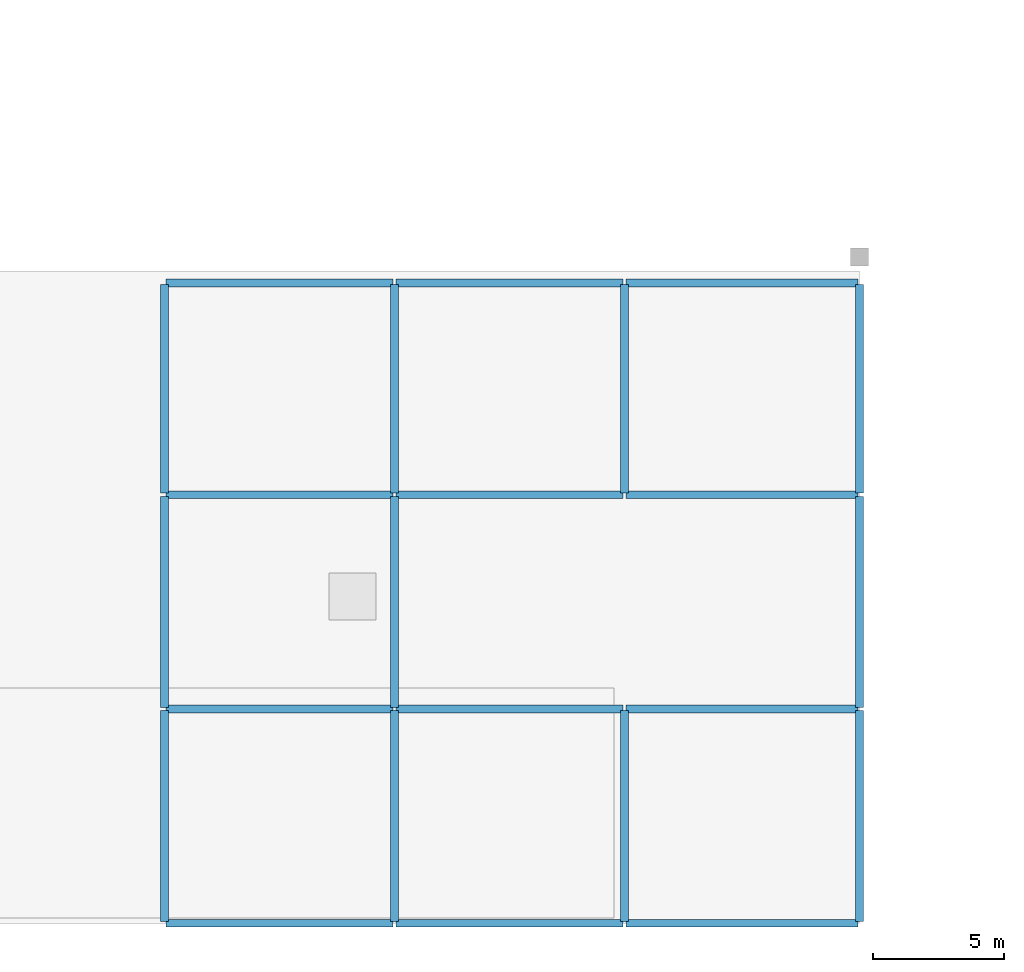
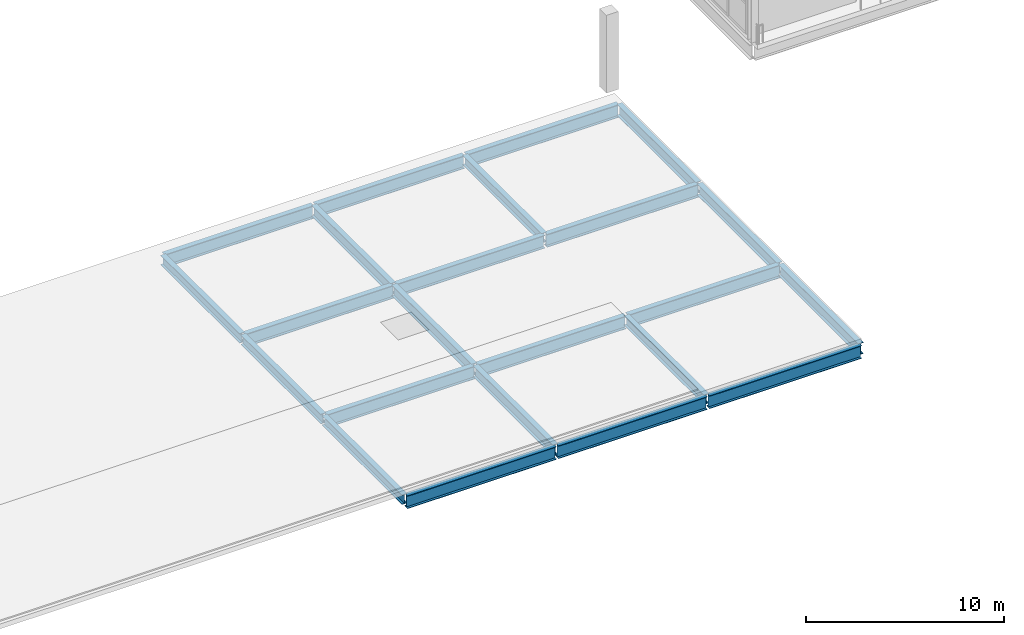
# One storey, part 15 of 51: 23 beams.
"""IFC4 building model written with IfcOpenShell, lengths in metres."""

from ifc_helpers import new_model, si_unit, direction, frame, origin, origin_2d, place, context, subcontext, project, spatial, i_section, extrude, material, material_profile, profile_set, type_object, element, save


model = new_model("IFC4")

# Units and contexts
model_context = context("Model", 3, precision=1e-05, world=origin(), true_north=direction((0.0, 1.0)))
body_context = subcontext(model_context, "Body", "Model", "MODEL_VIEW")
ifc_project = project(units=[si_unit("LENGTHUNIT", "METRE"), si_unit("AREAUNIT", "SQUARE_METRE"), si_unit("VOLUMEUNIT", "CUBIC_METRE"), si_unit("PLANEANGLEUNIT", "RADIAN"), si_unit("MASSUNIT", "GRAM", prefix="KILO")], contexts=[model_context])

# Site, building, storey
site_placement = place(None, origin())
site = spatial("IfcSite", under=ifc_project, at=site_placement, CompositionType="ELEMENT")
building_placement = place(site_placement, origin())
building = spatial("IfcBuilding", under=site, at=building_placement, Name="Koshinbarg Plaza Stadium", CompositionType="ELEMENT")
storey_placement = place(building_placement, frame((0.0, 0.0, 24.60009765625)))
storey = spatial("IfcBuildingStorey", under=building, at=storey_placement, Name="L05", CompositionType="ELEMENT", Elevation=24.60009765625)

# Beams
ifc_material = material(Name="Steel S355", Category="steel")
ifc_material_profile_1 = material_profile(ifc_material, i_section(OverallWidth=0.300048828125, OverallDepth=0.60009765625, WebThickness=0.015380859375, FlangeThickness=0.030029296875, at=origin_2d()), Name="HEB 600")
ifc_profile_set_1 = profile_set([ifc_material_profile_1], Name="Steel S355")
beam_type_1 = type_object("IfcBeamType", Name="BM-SGIR-02", PredefinedType="USERDEFINED", material=ifc_profile_set_1)
beam_1_placement = place(storey_placement, frame((162.800048828125, 0.06005859375, -0.60009765625), z_axis=(0.0, 1.0, 0.0), x_axis=(-1.0, 0.0, 0.0)))
element("IfcBeam", 1, at=beam_1_placement, inside=storey, type_object=beam_type_1, Name="L05 Y girder 15/A-B", ObjectType="GIRDER", PredefinedType="USERDEFINED", context=body_context, shape_type="SweptSolid", body=[
    extrude(i_section(OverallWidth=0.300048828125, OverallDepth=0.60009765625, WebThickness=0.015380859375, FlangeThickness=0.030029296875, at=origin_2d()), origin(), (0.0, 0.0, 1.0), 8.079833984375),
])
beam_2_placement = place(storey_placement, frame((162.800048828125, 8.260009765625, -0.60009765625), z_axis=(0.0, 1.0, 0.0), x_axis=(-1.0, 0.0, 0.0)))
element("IfcBeam", 2, at=beam_2_placement, inside=storey, type_object=beam_type_1, Name="L05 Y girder 15/B-C", ObjectType="GIRDER", PredefinedType="USERDEFINED", context=body_context, shape_type="SweptSolid", body=[
    extrude(i_section(OverallWidth=0.300048828125, OverallDepth=0.60009765625, WebThickness=0.015380859375, FlangeThickness=0.030029296875, at=origin_2d()), origin(), (0.0, 0.0, 1.0), 8.080078125),
])
beam_3_placement = place(storey_placement, frame((162.800048828125, 16.4599609375, -0.60009765625), z_axis=(0.0, 1.0, 0.0), x_axis=(-1.0, 0.0, 0.0)))
element("IfcBeam", 3, at=beam_3_placement, inside=storey, type_object=beam_type_1, Name="L05 Y girder 15/C-D", ObjectType="GIRDER", PredefinedType="USERDEFINED", context=body_context, shape_type="SweptSolid", body=[
    extrude(i_section(OverallWidth=0.300048828125, OverallDepth=0.60009765625, WebThickness=0.015380859375, FlangeThickness=0.030029296875, at=origin_2d()), origin(), (0.0, 0.0, 1.0), 7.97998046875),
])
beam_4_placement = place(storey_placement, frame((180.39990234375, 0.06005859375, -0.60009765625), z_axis=(0.0, 1.0, 0.0), x_axis=(-1.0, 0.0, 0.0)))
element("IfcBeam", 4, at=beam_4_placement, inside=storey, type_object=beam_type_1, Name="L05 Y girder 17/A-B", ObjectType="GIRDER", PredefinedType="USERDEFINED", context=body_context, shape_type="SweptSolid", body=[
    extrude(i_section(OverallWidth=0.300048828125, OverallDepth=0.60009765625, WebThickness=0.015380859375, FlangeThickness=0.030029296875, at=origin_2d()), origin(), (0.0, 0.0, 1.0), 8.079833984375),
])
beam_5_placement = place(storey_placement, frame((180.39990234375, 16.4599609375, -0.60009765625), z_axis=(0.0, 1.0, 0.0), x_axis=(-1.0, 0.0, 0.0)))
element("IfcBeam", 5, at=beam_5_placement, inside=storey, type_object=beam_type_1, Name="L05 Y girder 17/C-D", ObjectType="GIRDER", PredefinedType="USERDEFINED", context=body_context, shape_type="SweptSolid", body=[
    extrude(i_section(OverallWidth=0.300048828125, OverallDepth=0.60009765625, WebThickness=0.015380859375, FlangeThickness=0.030029296875, at=origin_2d()), origin(), (0.0, 0.0, 1.0), 7.97998046875),
])
ifc_material_profile_2 = material_profile(ifc_material, i_section(OverallWidth=0.300048828125, OverallDepth=0.699951171875, WebThickness=0.01708984375, FlangeThickness=0.031982421875, at=origin_2d()), Name="HEB 700")
ifc_profile_set_2 = profile_set([ifc_material_profile_2], Name="Steel S355")
beam_type_2 = type_object("IfcBeamType", Name="BM-SGIR-03", PredefinedType="USERDEFINED", material=ifc_profile_set_2)
beam_6_placement = place(storey_placement, frame((171.60009765625, 0.06005859375, -0.650146484375), z_axis=(0.0, 1.0, 0.0), x_axis=(-1.0, 0.0, 0.0)))
element("IfcBeam", 6, at=beam_6_placement, inside=storey, type_object=beam_type_2, Name="L05 Y girder 16/A-B", ObjectType="GIRDER", PredefinedType="USERDEFINED", context=body_context, shape_type="SweptSolid", body=[
    extrude(i_section(OverallWidth=0.300048828125, OverallDepth=0.699951171875, WebThickness=0.01708984375, FlangeThickness=0.031982421875, at=origin_2d()), origin(), (0.0, 0.0, 1.0), 8.079833984375),
])
beam_7_placement = place(storey_placement, frame((171.60009765625, 8.260009765625, -0.650146484375), z_axis=(0.0, 1.0, 0.0), x_axis=(-1.0, 0.0, 0.0)))
element("IfcBeam", 7, at=beam_7_placement, inside=storey, type_object=beam_type_2, Name="L05 Y girder 16/B-C", ObjectType="GIRDER", PredefinedType="USERDEFINED", context=body_context, shape_type="SweptSolid", body=[
    extrude(i_section(OverallWidth=0.300048828125, OverallDepth=0.699951171875, WebThickness=0.01708984375, FlangeThickness=0.031982421875, at=origin_2d()), origin(), (0.0, 0.0, 1.0), 8.080078125),
])
beam_8_placement = place(storey_placement, frame((171.60009765625, 16.4599609375, -0.650146484375), z_axis=(0.0, 1.0, 0.0), x_axis=(-1.0, 0.0, 0.0)))
element("IfcBeam", 8, at=beam_8_placement, inside=storey, type_object=beam_type_2, Name="L05 Y girder 16/C-D", ObjectType="GIRDER", PredefinedType="USERDEFINED", context=body_context, shape_type="SweptSolid", body=[
    extrude(i_section(OverallWidth=0.300048828125, OverallDepth=0.699951171875, WebThickness=0.01708984375, FlangeThickness=0.031982421875, at=origin_2d()), origin(), (0.0, 0.0, 1.0), 7.97998046875),
])
beam_9_placement = place(storey_placement, frame((189.39990234375, 0.06005859375, -0.650146484375), z_axis=(0.0, 1.0, 0.0), x_axis=(-1.0, 0.0, 0.0)))
element("IfcBeam", 9, at=beam_9_placement, inside=storey, type_object=beam_type_2, Name="L05 Y girder 18/A-B", ObjectType="GIRDER", PredefinedType="USERDEFINED", context=body_context, shape_type="SweptSolid", body=[
    extrude(i_section(OverallWidth=0.300048828125, OverallDepth=0.699951171875, WebThickness=0.01708984375, FlangeThickness=0.031982421875, at=origin_2d()), origin(), (0.0, 0.0, 1.0), 8.079833984375),
])
beam_10_placement = place(storey_placement, frame((189.39990234375, 8.260009765625, -0.650146484375), z_axis=(0.0, 1.0, 0.0), x_axis=(-1.0, 0.0, 0.0)))
element("IfcBeam", 10, at=beam_10_placement, inside=storey, type_object=beam_type_2, Name="L05 Y girder 18/B-C", ObjectType="GIRDER", PredefinedType="USERDEFINED", context=body_context, shape_type="SweptSolid", body=[
    extrude(i_section(OverallWidth=0.300048828125, OverallDepth=0.699951171875, WebThickness=0.01708984375, FlangeThickness=0.031982421875, at=origin_2d()), origin(), (0.0, 0.0, 1.0), 8.080078125),
])
beam_11_placement = place(storey_placement, frame((189.39990234375, 16.4599609375, -0.650146484375), z_axis=(0.0, 1.0, 0.0), x_axis=(-1.0, 0.0, 0.0)))
element("IfcBeam", 11, at=beam_11_placement, inside=storey, type_object=beam_type_2, Name="L05 Y girder 18/C-D", ObjectType="GIRDER", PredefinedType="USERDEFINED", context=body_context, shape_type="SweptSolid", body=[
    extrude(i_section(OverallWidth=0.300048828125, OverallDepth=0.699951171875, WebThickness=0.01708984375, FlangeThickness=0.031982421875, at=origin_2d()), origin(), (0.0, 0.0, 1.0), 7.97998046875),
])
ifc_material_profile_3 = material_profile(ifc_material, i_section(OverallWidth=0.300048828125, OverallDepth=0.800048828125, WebThickness=0.017578125, FlangeThickness=0.032958984375, at=origin_2d()), Name="HEB 800")
ifc_profile_set_3 = profile_set([ifc_material_profile_3], Name="Steel S355")
beam_type_3 = type_object("IfcBeamType", Name="BM-SGIR-04", PredefinedType="USERDEFINED", material=ifc_profile_set_3)
beam_12_placement = place(storey_placement, frame((162.860107421875, 0.0, -0.7001953125), z_axis=(1.0, 0.0, 0.0), x_axis=(0.0, 1.0, 0.0)))
element("IfcBeam", 12, at=beam_12_placement, inside=storey, type_object=beam_type_3, Name="L05 X girder A/15-16", ObjectType="GIRDER", PredefinedType="USERDEFINED", context=body_context, shape_type="SweptSolid", body=[
    extrude(i_section(OverallWidth=0.300048828125, OverallDepth=0.800048828125, WebThickness=0.017578125, FlangeThickness=0.032958984375, at=origin_2d()), origin(), (0.0, 0.0, 1.0), 8.679931640625),
])
beam_13_placement = place(storey_placement, frame((171.659912109375, 0.0, -0.7001953125), z_axis=(1.0, 0.0, 0.0), x_axis=(0.0, 1.0, 0.0)))
element("IfcBeam", 13, at=beam_13_placement, inside=storey, type_object=beam_type_3, Name="L05 X girder A/16-17", ObjectType="GIRDER", PredefinedType="USERDEFINED", context=body_context, shape_type="SweptSolid", body=[
    extrude(i_section(OverallWidth=0.300048828125, OverallDepth=0.800048828125, WebThickness=0.017578125, FlangeThickness=0.032958984375, at=origin_2d()), origin(), (0.0, 0.0, 1.0), 8.68017578125),
])
beam_14_placement = place(storey_placement, frame((180.4599609375, 0.0, -0.7001953125), z_axis=(1.0, 0.0, 0.0), x_axis=(0.0, 1.0, 0.0)))
element("IfcBeam", 14, at=beam_14_placement, inside=storey, type_object=beam_type_3, Name="L05 X girder A/17-18", ObjectType="GIRDER", PredefinedType="USERDEFINED", context=body_context, shape_type="SweptSolid", body=[
    extrude(i_section(OverallWidth=0.300048828125, OverallDepth=0.800048828125, WebThickness=0.017578125, FlangeThickness=0.032958984375, at=origin_2d()), origin(), (0.0, 0.0, 1.0), 8.880126953125),
])
beam_15_placement = place(storey_placement, frame((162.860107421875, 8.199951171875, -0.7001953125), z_axis=(1.0, 0.0, 0.0), x_axis=(0.0, 1.0, 0.0)))
element("IfcBeam", 15, at=beam_15_placement, inside=storey, type_object=beam_type_3, Name="L05 X girder B/15-16", ObjectType="GIRDER", PredefinedType="USERDEFINED", context=body_context, shape_type="SweptSolid", body=[
    extrude(i_section(OverallWidth=0.300048828125, OverallDepth=0.800048828125, WebThickness=0.017578125, FlangeThickness=0.032958984375, at=origin_2d()), origin(), (0.0, 0.0, 1.0), 8.679931640625),
])
beam_16_placement = place(storey_placement, frame((171.659912109375, 8.199951171875, -0.7001953125), z_axis=(1.0, 0.0, 0.0), x_axis=(0.0, 1.0, 0.0)))
element("IfcBeam", 16, at=beam_16_placement, inside=storey, type_object=beam_type_3, Name="L05 X girder B/16-17", ObjectType="GIRDER", PredefinedType="USERDEFINED", context=body_context, shape_type="SweptSolid", body=[
    extrude(i_section(OverallWidth=0.300048828125, OverallDepth=0.800048828125, WebThickness=0.017578125, FlangeThickness=0.032958984375, at=origin_2d()), origin(), (0.0, 0.0, 1.0), 8.68017578125),
])
beam_17_placement = place(storey_placement, frame((180.4599609375, 8.199951171875, -0.7001953125), z_axis=(1.0, 0.0, 0.0), x_axis=(0.0, 1.0, 0.0)))
element("IfcBeam", 17, at=beam_17_placement, inside=storey, type_object=beam_type_3, Name="L05 X girder B/17-18", ObjectType="GIRDER", PredefinedType="USERDEFINED", context=body_context, shape_type="SweptSolid", body=[
    extrude(i_section(OverallWidth=0.300048828125, OverallDepth=0.800048828125, WebThickness=0.017578125, FlangeThickness=0.032958984375, at=origin_2d()), origin(), (0.0, 0.0, 1.0), 8.880126953125),
])
beam_18_placement = place(storey_placement, frame((162.860107421875, 16.39990234375, -0.7001953125), z_axis=(1.0, 0.0, 0.0), x_axis=(0.0, 1.0, 0.0)))
element("IfcBeam", 18, at=beam_18_placement, inside=storey, type_object=beam_type_3, Name="L05 X girder C/15-16", ObjectType="GIRDER", PredefinedType="USERDEFINED", context=body_context, shape_type="SweptSolid", body=[
    extrude(i_section(OverallWidth=0.300048828125, OverallDepth=0.800048828125, WebThickness=0.017578125, FlangeThickness=0.032958984375, at=origin_2d()), origin(), (0.0, 0.0, 1.0), 8.679931640625),
])
beam_19_placement = place(storey_placement, frame((171.659912109375, 16.39990234375, -0.7001953125), z_axis=(1.0, 0.0, 0.0), x_axis=(0.0, 1.0, 0.0)))
element("IfcBeam", 19, at=beam_19_placement, inside=storey, type_object=beam_type_3, Name="L05 X girder C/16-17", ObjectType="GIRDER", PredefinedType="USERDEFINED", context=body_context, shape_type="SweptSolid", body=[
    extrude(i_section(OverallWidth=0.300048828125, OverallDepth=0.800048828125, WebThickness=0.017578125, FlangeThickness=0.032958984375, at=origin_2d()), origin(), (0.0, 0.0, 1.0), 8.68017578125),
])
beam_20_placement = place(storey_placement, frame((180.4599609375, 16.39990234375, -0.7001953125), z_axis=(1.0, 0.0, 0.0), x_axis=(0.0, 1.0, 0.0)))
element("IfcBeam", 20, at=beam_20_placement, inside=storey, type_object=beam_type_3, Name="L05 X girder C/17-18", ObjectType="GIRDER", PredefinedType="USERDEFINED", context=body_context, shape_type="SweptSolid", body=[
    extrude(i_section(OverallWidth=0.300048828125, OverallDepth=0.800048828125, WebThickness=0.017578125, FlangeThickness=0.032958984375, at=origin_2d()), origin(), (0.0, 0.0, 1.0), 8.880126953125),
])
beam_21_placement = place(storey_placement, frame((162.860107421875, 24.5, -0.7001953125), z_axis=(1.0, 0.0, 0.0), x_axis=(0.0, 1.0, 0.0)))
element("IfcBeam", 21, at=beam_21_placement, inside=storey, type_object=beam_type_3, Name="L05 X girder D/15-16", ObjectType="GIRDER", PredefinedType="USERDEFINED", context=body_context, shape_type="SweptSolid", body=[
    extrude(i_section(OverallWidth=0.300048828125, OverallDepth=0.800048828125, WebThickness=0.017578125, FlangeThickness=0.032958984375, at=origin_2d()), origin(), (0.0, 0.0, 1.0), 8.679931640625),
])
beam_22_placement = place(storey_placement, frame((171.659912109375, 24.5, -0.7001953125), z_axis=(1.0, 0.0, 0.0), x_axis=(0.0, 1.0, 0.0)))
element("IfcBeam", 22, at=beam_22_placement, inside=storey, type_object=beam_type_3, Name="L05 X girder D/16-17", ObjectType="GIRDER", PredefinedType="USERDEFINED", context=body_context, shape_type="SweptSolid", body=[
    extrude(i_section(OverallWidth=0.300048828125, OverallDepth=0.800048828125, WebThickness=0.017578125, FlangeThickness=0.032958984375, at=origin_2d()), origin(), (0.0, 0.0, 1.0), 8.68017578125),
])
beam_23_placement = place(storey_placement, frame((180.4599609375, 24.5, -0.7001953125), z_axis=(1.0, 0.0, 0.0), x_axis=(0.0, 1.0, 0.0)))
element("IfcBeam", 23, at=beam_23_placement, inside=storey, type_object=beam_type_3, Name="L05 X girder D/17-18", ObjectType="GIRDER", PredefinedType="USERDEFINED", context=body_context, shape_type="SweptSolid", body=[
    extrude(i_section(OverallWidth=0.300048828125, OverallDepth=0.800048828125, WebThickness=0.017578125, FlangeThickness=0.032958984375, at=origin_2d()), origin(), (0.0, 0.0, 1.0), 8.880126953125),
])

save(model, "model.ifc")
